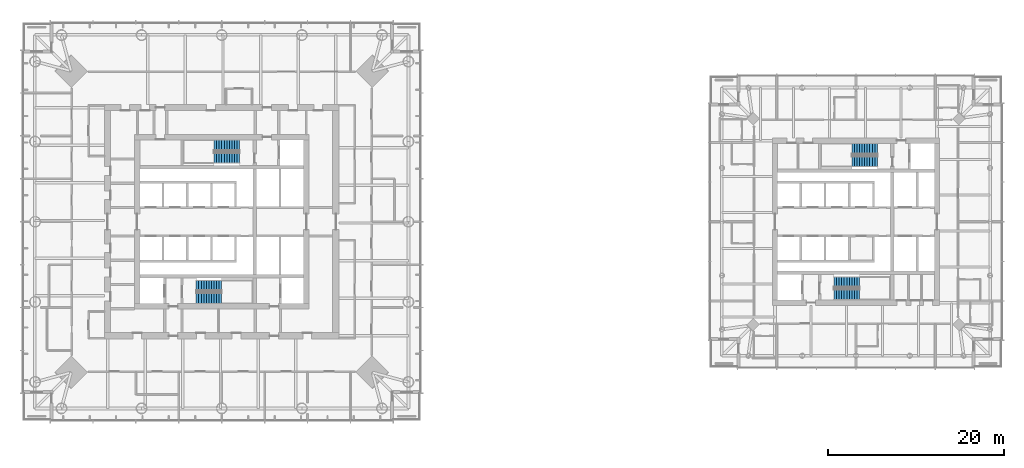
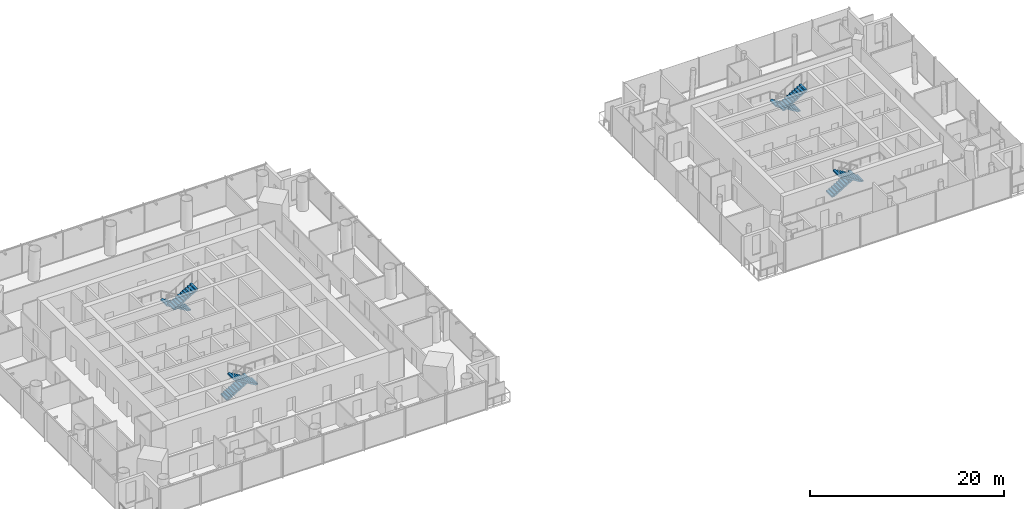
# One storey, part 17 of 20: 8 stair flights, 4 elements without a shape of their own.
"""IFC4 building model written with IfcOpenShell, lengths in metres."""

import ifcopenshell
import ifcopenshell.guid

model = None  # the IFC model being written
_history = None  # IfcOwnerHistory: only IFC2X3 demands one
_inside = {}  # id of a spatial element -> (the spatial element, [elements in it])
_under = {}  # id of a project, library or spatial element -> (it, [spatial elements below it])
_declared = {}  # id of a project -> (the project, [libraries it declares])
_typed = {}  # id of a type object -> (the type object, [elements of that type])
_made_of = {}  # id of a material, layer set ... -> (it, [elements and type objects made of it])


def new_model(schema):
    """Start an empty IFC model of exactly this schema.

    Asked for "IFC4X3", IfcOpenShell would pick the latest addendum, in which some entities
    have other attributes; the version numbers below select the first issue.
    IFC2X3 requires an IfcOwnerHistory on every rooted entity: one is made here for all.
    """
    global model, _history
    if schema == "IFC4X3":
        model = ifcopenshell.file(schema_version=(4, 3, 0, 0))
    else:
        model = ifcopenshell.file(schema=schema)
    _inside.clear()
    _under.clear()
    _declared.clear()
    _typed.clear()
    _made_of.clear()
    _history = None
    if model.schema == "IFC2X3":
        org = make("IfcOrganization", Name="unknown")
        user = make(
            "IfcPersonAndOrganization",
            ThePerson=make("IfcPerson", FamilyName="unknown"),
            TheOrganization=org,
        )
        app = make(
            "IfcApplication",
            ApplicationDeveloper=org,
            Version="unknown",
            ApplicationFullName="unknown",
            ApplicationIdentifier="unknown",
        )
        _history = make(
            "IfcOwnerHistory",
            OwningUser=user,
            OwningApplication=app,
            ChangeAction="ADDED",
            CreationDate=0,
        )
    return model


def make(cls, **values):
    """One entity of the class cls with the attributes given. An attribute that is None is left unset."""
    return model.create_entity(
        cls, **{name: value for name, value in values.items() if value is not None}
    )


def rooted(cls, **values):
    """An entity with a GlobalId (a new one), such as an element, a storey or a relation."""
    return make(cls, GlobalId=ifcopenshell.guid.new(), OwnerHistory=_history, **values)


def si_unit(unit_type, name, prefix=None):
    """IfcSIUnit, for example si_unit("LENGTHUNIT", "METRE", prefix="MILLI")."""
    return make("IfcSIUnit", UnitType=unit_type, Prefix=prefix, Name=name)


def assignment(units):
    """IfcUnitAssignment: the units of a project."""
    return None if units is None else make("IfcUnitAssignment", Units=units)


def point(xyz):
    """IfcCartesianPoint."""
    return None if xyz is None else make("IfcCartesianPoint", Coordinates=xyz)


def direction(xyz):
    """IfcDirection."""
    return None if xyz is None else make("IfcDirection", DirectionRatios=xyz)


def frame(location, z_axis=None, x_axis=None):
    """IfcAxis2Placement3D, a coordinate frame: its origin and axes. An axis left out is left unset."""
    return make(
        "IfcAxis2Placement3D",
        Location=point(location),
        Axis=direction(z_axis),
        RefDirection=direction(x_axis),
    )


def origin():
    """The frame at (0, 0, 0) with its axes left unset."""
    return frame((0.0, 0.0, 0.0))


def place(relative_to, where):
    """IfcLocalPlacement: puts the frame where relative to a parent placement (None: the world)."""
    return make(
        "IfcLocalPlacement", PlacementRelTo=relative_to, RelativePlacement=where
    )


def context(
    kind, dimensions, precision=None, world=None, true_north=None, identifier=None
):
    """IfcGeometricRepresentationContext, for example the 3D "Model" context."""
    return make(
        "IfcGeometricRepresentationContext",
        ContextIdentifier=identifier,
        ContextType=kind,
        CoordinateSpaceDimension=dimensions,
        Precision=precision,
        WorldCoordinateSystem=world,
        TrueNorth=true_north,
    )


def subcontext(parent, identifier, kind, view, scale=None):
    """IfcGeometricRepresentationSubContext, for example "Body" below "Model"."""
    return make(
        "IfcGeometricRepresentationSubContext",
        ContextIdentifier=identifier,
        ContextType=kind,
        ParentContext=parent,
        TargetScale=scale,
        TargetView=view,
    )


def project(units=None, contexts=None):
    """IfcProject with its units and contexts."""
    return rooted(
        "IfcProject",
        Name="project",
        RepresentationContexts=contexts,
        UnitsInContext=assignment(units),
    )


def spatial(cls, under=None, at=None, **own):
    """A site, building, storey or space (cls), placed at a placement, below another one or the project."""
    s = rooted(cls, ObjectPlacement=at, **own)
    if under is not None:
        _under.setdefault(under.id(), (under, []))[1].append(s)
    return s


def polyline(points):
    """IfcPolyline through the points."""
    return make("IfcPolyline", Points=[point(p) for p in points])


def outline(outer, holes=None, kind="AREA"):
    """IfcArbitraryClosedProfileDef: a profile drawn as a closed curve; with holes, ...WithVoids."""
    if holes is None:
        return make("IfcArbitraryClosedProfileDef", ProfileType=kind, OuterCurve=outer)
    return make(
        "IfcArbitraryProfileDefWithVoids",
        ProfileType=kind,
        OuterCurve=outer,
        InnerCurves=holes,
    )


def extrude(swept, where, along, depth):
    """IfcExtrudedAreaSolid: the profile swept, set in the frame where, extruded along a direction by depth."""
    return make(
        "IfcExtrudedAreaSolid",
        SweptArea=swept,
        Position=where,
        ExtrudedDirection=direction(along),
        Depth=depth,
    )


def shape(context_of_items, identifier, shape_type, items):
    """IfcShapeRepresentation: the items that make up one representation, for example the "Body"."""
    return make(
        "IfcShapeRepresentation",
        ContextOfItems=context_of_items,
        RepresentationIdentifier=identifier,
        RepresentationType=shape_type,
        Items=items,
    )


def material(Name=None, Category=None):
    """IfcMaterial."""
    return make("IfcMaterial", Name=Name, Category=Category)


def made_of(thing, what):
    """Note that an element or type object is made of a material, layer set ...; save() writes the relation."""
    if what is not None:
        _made_of.setdefault(what.id(), (what, []))[1].append(thing)
    return thing


def type_object(cls, material=None, **own):
    """A type object (cls), such as IfcWallType, which elements share."""
    return made_of(rooted(cls, **own), material)


def element(
    cls,
    number,
    at=None,
    inside=None,
    cuts=None,
    type_object=None,
    material=None,
    context=None,
    identifier="Body",
    shape_type=None,
    held_by="IfcProductDefinitionShape",
    body=None,
    shapes=None,
    **own,
):
    """One element of the class cls, such as IfcWall. Its Tag is "e" and its number.

    at: its placement. inside: the storey or other place that contains it. cuts: it is an
    opening in that element (IfcRelVoidsElement). A single representation is given by context,
    identifier, shape_type and body (its items); several are given by shapes. held_by: the class
    of the entity that holds the representations. save() writes the other relations.
    """
    e = rooted(cls, Tag="e%d" % number, ObjectPlacement=at, **own)
    if body is not None:
        shapes = [shape(context, identifier, shape_type, body)]
    if shapes is not None:
        e.Representation = make(held_by, Representations=shapes)
    if inside is not None:
        _inside.setdefault(inside.id(), (inside, []))[1].append(e)
    if cuts is not None:
        rooted(
            "IfcRelVoidsElement", RelatingBuildingElement=cuts, RelatedOpeningElement=e
        )
    if type_object is not None:
        _typed.setdefault(type_object.id(), (type_object, []))[1].append(e)
    return made_of(e, material)


def aggregate(whole, parts):
    """IfcRelAggregates: a whole, such as a stair, and the parts it consists of."""
    return rooted("IfcRelAggregates", RelatingObject=whole, RelatedObjects=parts)


def save(model, path):
    """Write the relations noted so far, then the file.

    IfcRelAggregates (storeys below a building ...), IfcRelContainedInSpatialStructure (elements
    in a storey), IfcRelDefinesByType, IfcRelAssociatesMaterial and IfcRelDeclares: one each for
    every whole, place, type object, material and project.
    """
    for whole, parts in _under.values():
        aggregate(whole, parts)
    for where, things in _inside.values():
        rooted(
            "IfcRelContainedInSpatialStructure",
            RelatedElements=things,
            RelatingStructure=where,
        )
    for kind, things in _typed.values():
        rooted("IfcRelDefinesByType", RelatedObjects=things, RelatingType=kind)
    for what, things in _made_of.values():
        rooted("IfcRelAssociatesMaterial", RelatedObjects=things, RelatingMaterial=what)
    for by, libraries in _declared.values():
        rooted("IfcRelDeclares", RelatingContext=by, RelatedDefinitions=libraries)
    model.write(path)


model = new_model("IFC4")

# Units and contexts
model_context = context("Model", 3, precision=1e-05, world=origin(), true_north=direction((0.0, 1.0)))
body_context = subcontext(model_context, "Body", "Model", "MODEL_VIEW")
ifc_project = project(units=[si_unit("LENGTHUNIT", "METRE"), si_unit("AREAUNIT", "SQUARE_METRE"), si_unit("VOLUMEUNIT", "CUBIC_METRE"), si_unit("PLANEANGLEUNIT", "RADIAN"), si_unit("MASSUNIT", "GRAM", prefix="KILO")], contexts=[model_context])

# Site, building, storey
site_placement = place(None, origin())
site = spatial("IfcSite", under=ifc_project, at=site_placement, CompositionType="ELEMENT")
building_placement = place(site_placement, origin())
building = spatial("IfcBuilding", under=site, at=building_placement, Name="Ostroluk Exchange", CompositionType="ELEMENT")
storey_placement = place(building_placement, frame((0.0, 0.0, 108.39990234375)))
storey = spatial("IfcBuildingStorey", under=building, at=storey_placement, Name="L27", CompositionType="ELEMENT", Elevation=108.39990234375)

# Stair, stair flights
ifc_material_1 = material(Name="Concrete C30/37", Category="concrete")
stair_type = type_object("IfcStairType", Name="Exit stair half turn 3800", PredefinedType="HALF_TURN_STAIR", material=ifc_material_1)
stair_1_placement = place(storey_placement, origin())
stair_1 = element("IfcStair", 1, at=stair_1_placement, inside=storey, type_object=stair_type, Name="Stair T1-S1 L27", PredefinedType="HALF_TURN_STAIR")
ifc_material_2 = material(Name="Concrete C30/37", Category="concrete")
stair_flight_type = type_object("IfcStairFlightType", Name="Stair flight 11 risers 172.7 x 290", PredefinedType="STRAIGHT", material=ifc_material_2)
stair_flight_1_placement = place(storey_placement, frame((42.10009765625, 38.77490234375, 0.0), z_axis=(0.0, 0.0, 1.0), x_axis=(1.0, 0.0, 0.0)))
stair_flight_1 = element("IfcStairFlight", 2, at=stair_flight_1_placement, type_object=stair_flight_type, Name="T1-S1 flight 1", NumberOfRisers=11, NumberOfTreads=10, PredefinedType="STRAIGHT", RiserHeight=0.172727273, TreadLength=0.29, context=body_context, shape_type="SweptSolid", body=[
    extrude(outline(polyline([(0.0, 0.0), (0.0, 0.172607421875), (0.2900390625, 0.172607421875), (0.2900390625, 0.345458984375), (0.580078125, 0.345458984375), (0.580078125, 0.51806640625), (0.8701171875, 0.51806640625), (0.8701171875, 0.69091796875), (1.159912109375, 0.69091796875), (1.159912109375, 0.863525390625), (1.449951171875, 0.863525390625), (1.449951171875, 1.036376953125), (1.739990234375, 1.036376953125), (1.739990234375, 1.208984375), (2.030029296875, 1.208984375), (2.030029296875, 1.3818359375), (2.320068359375, 1.3818359375), (2.320068359375, 1.554443359375), (2.610107421875, 1.554443359375), (2.610107421875, 1.727294921875), (2.89990234375, 1.727294921875), (2.89990234375, 1.89990234375), (2.89990234375, 1.552734375), (0.29296875, 0.0), (0.0, 0.0)])), frame((0.0, 0.625, 0.0), z_axis=(0.0, -1.0, 0.0), x_axis=(1.0, 0.0, 0.0)), (0.0, 0.0, 1.0), 1.25),
])
stair_flight_2_placement = place(storey_placement, frame((45.0, 37.324951171875, 1.900146484375), z_axis=(0.0, 0.0, 1.0), x_axis=(-1.0, 0.0, 0.0)))
stair_flight_2 = element("IfcStairFlight", 3, at=stair_flight_2_placement, type_object=stair_flight_type, Name="T1-S1 flight 2", NumberOfRisers=11, NumberOfTreads=10, PredefinedType="STRAIGHT", RiserHeight=0.172727273, TreadLength=0.29, context=body_context, shape_type="SweptSolid", body=[
    extrude(outline(polyline([(0.0, 0.0), (0.0, 0.172607421875), (0.2900390625, 0.172607421875), (0.2900390625, 0.345458984375), (0.580078125, 0.345458984375), (0.580078125, 0.51806640625), (0.8701171875, 0.51806640625), (0.8701171875, 0.69091796875), (1.159912109375, 0.69091796875), (1.159912109375, 0.863525390625), (1.449951171875, 0.863525390625), (1.449951171875, 1.036376953125), (1.739990234375, 1.036376953125), (1.739990234375, 1.208984375), (2.030029296875, 1.208984375), (2.030029296875, 1.3818359375), (2.320068359375, 1.3818359375), (2.320068359375, 1.554443359375), (2.610107421875, 1.554443359375), (2.610107421875, 1.727294921875), (2.89990234375, 1.727294921875), (2.89990234375, 1.89990234375), (2.89990234375, 1.552734375), (0.29296875, 0.0), (0.0, 0.0)])), frame((0.0, 0.625, 0.0), z_axis=(0.0, -1.0, 0.0), x_axis=(1.0, 0.0, 0.0)), (0.0, 0.0, 1.0), 1.25),
])
aggregate(stair_1, [stair_flight_1, stair_flight_2])

stair_2_placement = place(storey_placement, origin())
stair_2 = element("IfcStair", 4, at=stair_2_placement, inside=storey, type_object=stair_type, Name="Stair T1-S2 L27", PredefinedType="HALF_TURN_STAIR")
stair_flight_3_placement = place(storey_placement, frame((47.030029296875, 54.675048828125, 0.0), z_axis=(0.0, 0.0, 1.0), x_axis=(-1.0, 0.0, 0.0)))
stair_flight_3 = element("IfcStairFlight", 5, at=stair_flight_3_placement, type_object=stair_flight_type, Name="T1-S2 flight 1", NumberOfRisers=11, NumberOfTreads=10, PredefinedType="STRAIGHT", RiserHeight=0.172727273, TreadLength=0.29, context=body_context, shape_type="SweptSolid", body=[
    extrude(outline(polyline([(0.0, 0.0), (0.0, 0.172607421875), (0.2900390625, 0.172607421875), (0.2900390625, 0.345458984375), (0.580078125, 0.345458984375), (0.580078125, 0.51806640625), (0.8701171875, 0.51806640625), (0.8701171875, 0.69091796875), (1.159912109375, 0.69091796875), (1.159912109375, 0.863525390625), (1.449951171875, 0.863525390625), (1.449951171875, 1.036376953125), (1.739990234375, 1.036376953125), (1.739990234375, 1.208984375), (2.030029296875, 1.208984375), (2.030029296875, 1.3818359375), (2.320068359375, 1.3818359375), (2.320068359375, 1.554443359375), (2.610107421875, 1.554443359375), (2.610107421875, 1.727294921875), (2.89990234375, 1.727294921875), (2.89990234375, 1.89990234375), (2.89990234375, 1.552734375), (0.29296875, 0.0), (0.0, 0.0)])), frame((0.0, 0.625, 0.0), z_axis=(0.0, -1.0, 0.0), x_axis=(1.0, 0.0, 0.0)), (0.0, 0.0, 1.0), 1.25),
])
stair_flight_4_placement = place(storey_placement, frame((44.1298828125, 53.22509765625, 1.900146484375), z_axis=(0.0, 0.0, 1.0), x_axis=(1.0, 0.0, 0.0)))
stair_flight_4 = element("IfcStairFlight", 6, at=stair_flight_4_placement, type_object=stair_flight_type, Name="T1-S2 flight 2", NumberOfRisers=11, NumberOfTreads=10, PredefinedType="STRAIGHT", RiserHeight=0.172727273, TreadLength=0.29, context=body_context, shape_type="SweptSolid", body=[
    extrude(outline(polyline([(0.0, 0.0), (0.0, 0.172607421875), (0.2900390625, 0.172607421875), (0.2900390625, 0.345458984375), (0.580078125, 0.345458984375), (0.580078125, 0.51806640625), (0.8701171875, 0.51806640625), (0.8701171875, 0.69091796875), (1.159912109375, 0.69091796875), (1.159912109375, 0.863525390625), (1.449951171875, 0.863525390625), (1.449951171875, 1.036376953125), (1.739990234375, 1.036376953125), (1.739990234375, 1.208984375), (2.030029296875, 1.208984375), (2.030029296875, 1.3818359375), (2.320068359375, 1.3818359375), (2.320068359375, 1.554443359375), (2.610107421875, 1.554443359375), (2.610107421875, 1.727294921875), (2.89990234375, 1.727294921875), (2.89990234375, 1.89990234375), (2.89990234375, 1.552734375), (0.29296875, 0.0), (0.0, 0.0)])), frame((0.0, 0.625, 0.0), z_axis=(0.0, -1.0, 0.0), x_axis=(1.0, 0.0, 0.0)), (0.0, 0.0, 1.0), 1.25),
])
aggregate(stair_2, [stair_flight_3, stair_flight_4])

stair_3_placement = place(storey_placement, origin())
stair_3 = element("IfcStair", 7, at=stair_3_placement, inside=storey, type_object=stair_type, Name="Stair T2-S1 L27", PredefinedType="HALF_TURN_STAIR")
stair_flight_5_placement = place(storey_placement, frame((114.5, 39.175048828125, 0.0), z_axis=(0.0, 0.0, 1.0), x_axis=(1.0, 0.0, 0.0)))
stair_flight_5 = element("IfcStairFlight", 8, at=stair_flight_5_placement, type_object=stair_flight_type, Name="T2-S1 flight 1", NumberOfRisers=11, NumberOfTreads=10, PredefinedType="STRAIGHT", RiserHeight=0.172727273, TreadLength=0.29, context=body_context, shape_type="SweptSolid", body=[
    extrude(outline(polyline([(0.0, 0.0), (0.0, 0.172607421875), (0.2900390625, 0.172607421875), (0.2900390625, 0.345458984375), (0.580078125, 0.345458984375), (0.580078125, 0.51806640625), (0.8701171875, 0.51806640625), (0.8701171875, 0.69091796875), (1.159912109375, 0.69091796875), (1.159912109375, 0.863525390625), (1.449951171875, 0.863525390625), (1.449951171875, 1.036376953125), (1.739990234375, 1.036376953125), (1.739990234375, 1.208984375), (2.030029296875, 1.208984375), (2.030029296875, 1.3818359375), (2.320068359375, 1.3818359375), (2.320068359375, 1.554443359375), (2.610107421875, 1.554443359375), (2.610107421875, 1.727294921875), (2.89990234375, 1.727294921875), (2.89990234375, 1.89990234375), (2.89990234375, 1.552734375), (0.29296875, 0.0), (0.0, 0.0)])), frame((0.0, 0.625, 0.0), z_axis=(0.0, -1.0, 0.0), x_axis=(1.0, 0.0, 0.0)), (0.0, 0.0, 1.0), 1.25),
])
stair_flight_6_placement = place(storey_placement, frame((117.39990234375, 37.72509765625, 1.900146484375), z_axis=(0.0, 0.0, 1.0), x_axis=(-1.0, 0.0, 0.0)))
stair_flight_6 = element("IfcStairFlight", 9, at=stair_flight_6_placement, type_object=stair_flight_type, Name="T2-S1 flight 2", NumberOfRisers=11, NumberOfTreads=10, PredefinedType="STRAIGHT", RiserHeight=0.172727273, TreadLength=0.29, context=body_context, shape_type="SweptSolid", body=[
    extrude(outline(polyline([(0.0, 0.0), (0.0, 0.172607421875), (0.2900390625, 0.172607421875), (0.2900390625, 0.345458984375), (0.580078125, 0.345458984375), (0.580078125, 0.51806640625), (0.8701171875, 0.51806640625), (0.8701171875, 0.69091796875), (1.159912109375, 0.69091796875), (1.159912109375, 0.863525390625), (1.449951171875, 0.863525390625), (1.449951171875, 1.036376953125), (1.739990234375, 1.036376953125), (1.739990234375, 1.208984375), (2.030029296875, 1.208984375), (2.030029296875, 1.3818359375), (2.320068359375, 1.3818359375), (2.320068359375, 1.554443359375), (2.610107421875, 1.554443359375), (2.610107421875, 1.727294921875), (2.89990234375, 1.727294921875), (2.89990234375, 1.89990234375), (2.89990234375, 1.552734375), (0.29296875, 0.0), (0.0, 0.0)])), frame((0.0, 0.625, 0.0), z_axis=(0.0, -1.0, 0.0), x_axis=(1.0, 0.0, 0.0)), (0.0, 0.0, 1.0), 1.25),
])
aggregate(stair_3, [stair_flight_5, stair_flight_6])

stair_4_placement = place(storey_placement, origin())
stair_4 = element("IfcStair", 10, at=stair_4_placement, inside=storey, type_object=stair_type, Name="Stair T2-S2 L27", PredefinedType="HALF_TURN_STAIR")
stair_flight_7_placement = place(storey_placement, frame((119.429931640625, 54.27490234375, 0.0), z_axis=(0.0, 0.0, 1.0), x_axis=(-1.0, 0.0, 0.0)))
stair_flight_7 = element("IfcStairFlight", 11, at=stair_flight_7_placement, type_object=stair_flight_type, Name="T2-S2 flight 1", NumberOfRisers=11, NumberOfTreads=10, PredefinedType="STRAIGHT", RiserHeight=0.172727273, TreadLength=0.29, context=body_context, shape_type="SweptSolid", body=[
    extrude(outline(polyline([(0.0, 0.0), (0.0, 0.172607421875), (0.2900390625, 0.172607421875), (0.2900390625, 0.345458984375), (0.580078125, 0.345458984375), (0.580078125, 0.51806640625), (0.8701171875, 0.51806640625), (0.8701171875, 0.69091796875), (1.159912109375, 0.69091796875), (1.159912109375, 0.863525390625), (1.449951171875, 0.863525390625), (1.449951171875, 1.036376953125), (1.739990234375, 1.036376953125), (1.739990234375, 1.208984375), (2.030029296875, 1.208984375), (2.030029296875, 1.3818359375), (2.320068359375, 1.3818359375), (2.320068359375, 1.554443359375), (2.610107421875, 1.554443359375), (2.610107421875, 1.727294921875), (2.89990234375, 1.727294921875), (2.89990234375, 1.89990234375), (2.89990234375, 1.552734375), (0.29296875, 0.0), (0.0, 0.0)])), frame((0.0, 0.625, 0.0), z_axis=(0.0, -1.0, 0.0), x_axis=(1.0, 0.0, 0.0)), (0.0, 0.0, 1.0), 1.25),
])
stair_flight_8_placement = place(storey_placement, frame((116.530029296875, 52.824951171875, 1.900146484375), z_axis=(0.0, 0.0, 1.0), x_axis=(1.0, 0.0, 0.0)))
stair_flight_8 = element("IfcStairFlight", 12, at=stair_flight_8_placement, type_object=stair_flight_type, Name="T2-S2 flight 2", NumberOfRisers=11, NumberOfTreads=10, PredefinedType="STRAIGHT", RiserHeight=0.172727273, TreadLength=0.29, context=body_context, shape_type="SweptSolid", body=[
    extrude(outline(polyline([(0.0, 0.0), (0.0, 0.172607421875), (0.2900390625, 0.172607421875), (0.2900390625, 0.345458984375), (0.580078125, 0.345458984375), (0.580078125, 0.51806640625), (0.8701171875, 0.51806640625), (0.8701171875, 0.69091796875), (1.159912109375, 0.69091796875), (1.159912109375, 0.863525390625), (1.449951171875, 0.863525390625), (1.449951171875, 1.036376953125), (1.739990234375, 1.036376953125), (1.739990234375, 1.208984375), (2.030029296875, 1.208984375), (2.030029296875, 1.3818359375), (2.320068359375, 1.3818359375), (2.320068359375, 1.554443359375), (2.610107421875, 1.554443359375), (2.610107421875, 1.727294921875), (2.89990234375, 1.727294921875), (2.89990234375, 1.89990234375), (2.89990234375, 1.552734375), (0.29296875, 0.0), (0.0, 0.0)])), frame((0.0, 0.625, 0.0), z_axis=(0.0, -1.0, 0.0), x_axis=(1.0, 0.0, 0.0)), (0.0, 0.0, 1.0), 1.25),
])
aggregate(stair_4, [stair_flight_7, stair_flight_8])

save(model, "model.ifc")
